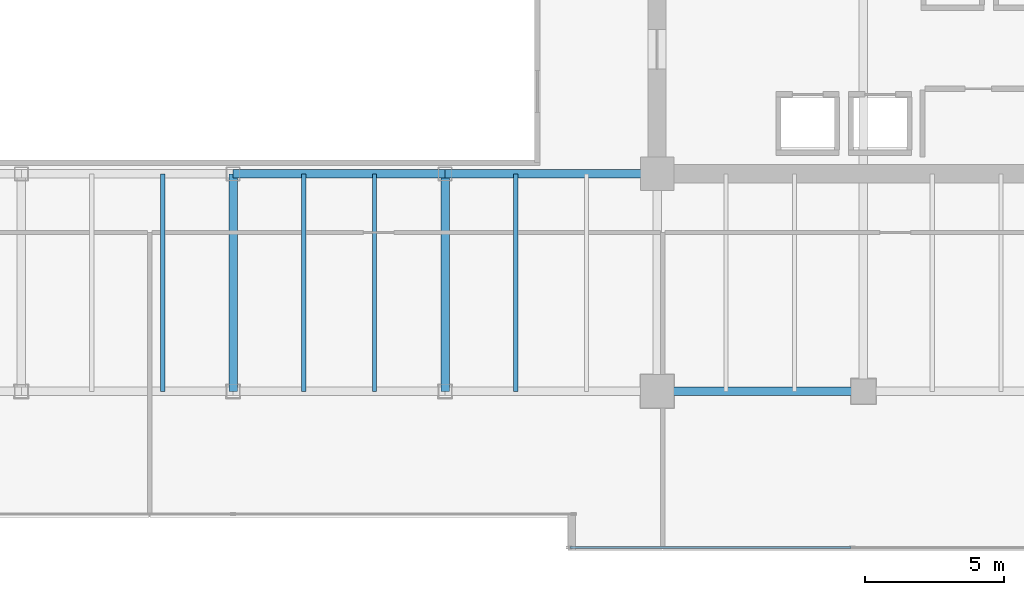
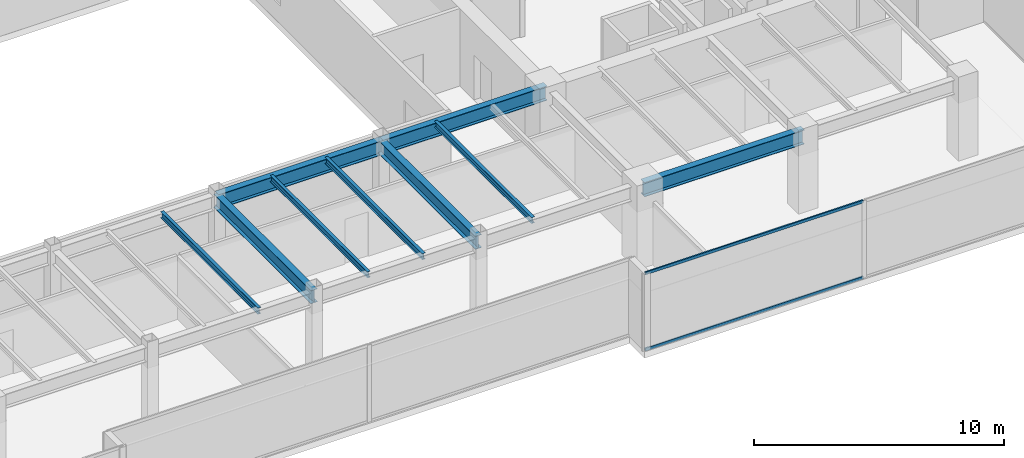
# One storey, part 11 of 33: 9 beams, 2 members, 1 element without a shape of its own.
"""IFC4 building model written with IfcOpenShell, lengths in metres."""

from ifc_helpers import new_model, si_unit, direction, frame, origin, origin_2d, place, context, subcontext, project, spatial, hollow_rectangle, i_section, extrude, source, transform, mapped, material, layer, layer_set, material_profile, profile_set, type_object, type_shapes, element, aggregate, save


model = new_model("IFC4")

# Units and contexts
model_context = context("Model", 3, precision=1e-05, world=origin(), true_north=direction((0.0, 1.0)))
body_context = subcontext(model_context, "Body", "Model", "MODEL_VIEW")
ifc_project = project(units=[si_unit("LENGTHUNIT", "METRE"), si_unit("AREAUNIT", "SQUARE_METRE"), si_unit("VOLUMEUNIT", "CUBIC_METRE"), si_unit("PLANEANGLEUNIT", "RADIAN"), si_unit("MASSUNIT", "GRAM", prefix="KILO")], contexts=[model_context])

# Site, building, storey
site_placement = place(None, origin())
site = spatial("IfcSite", under=ifc_project, at=site_placement, CompositionType="ELEMENT")
building_placement = place(site_placement, origin())
building = spatial("IfcBuilding", under=site, at=building_placement, Name="Haelvirn Gate Laboratories", CompositionType="ELEMENT")
storey_placement = place(building_placement, frame((0.0, 0.0, 117.39990234375)))
storey = spatial("IfcBuildingStorey", under=building, at=storey_placement, Name="L28", CompositionType="ELEMENT", Elevation=117.39990234375)

# Beams
ifc_material_1 = material(Name="Steel SM355", Category="steel")
ifc_material_profile_1 = material_profile(ifc_material_1, i_section(OverallWidth=0.300048828125, OverallDepth=0.64990234375, WebThickness=0.012939453125, FlangeThickness=0.02197265625, at=origin_2d()), Name="H-650x300x13x22")
ifc_profile_set_1 = profile_set([ifc_material_profile_1], Name="Steel SM355")
beam_type_1 = type_object("IfcBeamType", Name="BM-G-650", PredefinedType="BEAM", material=ifc_profile_set_1)
shared_shape_1 = source(origin(), body_context, "Body", "SweptSolid", [
    extrude(i_section(OverallWidth=0.300048828125, OverallDepth=0.64990234375, WebThickness=0.012939453125, FlangeThickness=0.02197265625, at=origin_2d()), origin(), (0.0, 0.0, 1.0), 7.800048828125),
])
type_shapes(beam_type_1, [shared_shape_1])
for number, where, z_axis, x_axis, name in (
    (1, (37.39990234375, 7.0, 3.465087890625), (0.0, 1.0, 0.0), (-1.0, 0.0, 0.0), "L28 Frame Girder X37.4 (7.0-14.8)"),
    (2, (45.0, 7.0, 3.465087890625), (0.0, 1.0, 0.0), (-1.0, 0.0, 0.0), "L28 Frame Girder X45.0 (7.0-14.8)"),
):
    element("IfcBeam", number, at=place(storey_placement, frame(where, z_axis=z_axis, x_axis=x_axis)), inside=storey, type_object=beam_type_1, Name=name, PredefinedType="BEAM", context=body_context, shape_type="MappedRepresentation", body=[
        mapped(shared_shape_1, transform((0.0, 0.0, 0.0), scale=1.0)),
    ])
ifc_material_profile_2 = material_profile(ifc_material_1, i_section(OverallWidth=0.300048828125, OverallDepth=0.699951171875, WebThickness=0.012939453125, FlangeThickness=0.02392578125, at=origin_2d()), Name="H-700x300x13x24")
ifc_profile_set_2 = profile_set([ifc_material_profile_2], Name="Steel SM355")
beam_type_2 = type_object("IfcBeamType", Name="BM-G-700", PredefinedType="BEAM", material=ifc_profile_set_2)
shared_shape_2 = source(origin(), body_context, "Body", "SweptSolid", [
    extrude(i_section(OverallWidth=0.300048828125, OverallDepth=0.699951171875, WebThickness=0.012939453125, FlangeThickness=0.02392578125, at=origin_2d()), origin(), (0.0, 0.0, 1.0), 7.39990234375),
])
beam_placement = place(storey_placement, frame((52.60009765625, 7.0, 3.440185546875), z_axis=(1.0, 0.0, 0.0), x_axis=(0.0, 1.0, 0.0)))
element("IfcBeam", 3, at=beam_placement, inside=storey, type_object=beam_type_2, Name="L28 Primary Girder Y7.0 (52.6-60.0)", PredefinedType="BEAM", context=body_context, shape_type="MappedRepresentation", body=[
    mapped(shared_shape_2, transform((0.0, 0.0, 0.0), scale=1.0)),
])
shared_shape_3 = source(origin(), body_context, "Body", "SweptSolid", [
    extrude(i_section(OverallWidth=0.300048828125, OverallDepth=0.699951171875, WebThickness=0.012939453125, FlangeThickness=0.02392578125, at=origin_2d()), origin(), (0.0, 0.0, 1.0), 7.60009765625),
])
type_shapes(beam_type_2, [shared_shape_2, shared_shape_3])
for number, where, z_axis, x_axis, name in (
    (4, (37.39990234375, 14.800048828125, 3.440185546875), (1.0, 0.0, 0.0), (0.0, 1.0, 0.0), "L28 Primary Girder Y14.8 (37.4-45.0)"),
    (5, (45.0, 14.800048828125, 3.440185546875), (1.0, 0.0, 0.0), (0.0, 1.0, 0.0), "L28 Primary Girder Y14.8 (45.0-52.6)"),
):
    element("IfcBeam", number, at=place(storey_placement, frame(where, z_axis=z_axis, x_axis=x_axis)), inside=storey, type_object=beam_type_2, Name=name, PredefinedType="BEAM", context=body_context, shape_type="MappedRepresentation", body=[
        mapped(shared_shape_3, transform((0.0, 0.0, 0.0), scale=1.0)),
    ])
ifc_material_profile_3 = material_profile(ifc_material_1, i_section(OverallWidth=0.14990234375, OverallDepth=0.300048828125, WebThickness=0.006591796875, FlangeThickness=0.009033203125, at=origin_2d()), Name="H-300x150x6.5x9")
ifc_profile_set_3 = profile_set([ifc_material_profile_3], Name="Steel SM355")
beam_type_3 = type_object("IfcBeamType", Name="BM-J-300", PredefinedType="JOIST", material=ifc_profile_set_3)
shared_shape_4 = source(origin(), body_context, "Body", "SweptSolid", [
    extrude(i_section(OverallWidth=0.14990234375, OverallDepth=0.300048828125, WebThickness=0.006591796875, FlangeThickness=0.009033203125, at=origin_2d()), origin(), (0.0, 0.0, 1.0), 7.800048828125),
])
type_shapes(beam_type_3, [shared_shape_4])
for number, where, z_axis, x_axis, name in (
    (6, (34.8701171875, 7.0, 3.64013671875), (0.0, 1.0, 0.0), (-1.0, 0.0, 0.0), "L28 Composite Lab Joist South X34.87"),
    (7, (39.929931640625, 7.0, 3.64013671875), (0.0, 1.0, 0.0), (-1.0, 0.0, 0.0), "L28 Composite Lab Joist South X39.93"),
    (8, (42.469970703125, 7.0, 3.64013671875), (0.0, 1.0, 0.0), (-1.0, 0.0, 0.0), "L28 Composite Lab Joist South X42.47"),
    (9, (47.530029296875, 7.0, 3.64013671875), (0.0, 1.0, 0.0), (-1.0, 0.0, 0.0), "L28 Composite Lab Joist South X47.53"),
):
    element("IfcBeam", number, at=place(storey_placement, frame(where, z_axis=z_axis, x_axis=x_axis)), inside=storey, type_object=beam_type_3, Name=name, PredefinedType="JOIST", context=body_context, shape_type="MappedRepresentation", body=[
        mapped(shared_shape_4, transform((0.0, 0.0, 0.0), scale=1.0)),
    ])

# Curtain wall, members
ifc_material_2 = material(Name="Anodised bronze unitised aluminium & triple low-E glass", Category="aluminium")
ifc_layer = layer(ifc_material_2, 0.179931640625, Name="CW-SYS-3")
ifc_layer_set = layer_set([ifc_layer], Name="Anodised bronze unitised aluminium & triple low-E glass")
curtain_wall_type = type_object("IfcCurtainWallType", Name="CW-SYS-3", PredefinedType="NOTDEFINED", material=ifc_layer_set)
curtain_wall_placement = place(storey_placement, origin())
curtain_wall = element("IfcCurtainWall", 10, at=curtain_wall_placement, inside=storey, type_object=curtain_wall_type, Name="L28 Unitised Curtain Wall CW-L28-P0-E04-1", PredefinedType="NOTDEFINED")
ifc_material_3 = material(Name="Extruded aluminium 6063-T6 (anodised bronze)", Category="aluminium")
ifc_material_profile_4 = material_profile(ifc_material_3, hollow_rectangle(XDim=0.06494140625, YDim=0.139892578125, WallThickness=0.00390625, at=origin_2d()), Name="CWT-140x65x4")
ifc_profile_set_4 = profile_set([ifc_material_profile_4], Name="Extruded aluminium 6063-T6 (anodised bronze)")
member_type = type_object("IfcMemberType", Name="CWT-T140", PredefinedType="USERDEFINED", material=ifc_profile_set_4)
shared_shape_5 = source(origin(), body_context, "Body", "SweptSolid", [
    extrude(hollow_rectangle(XDim=0.06494140625, YDim=0.139892578125, WallThickness=0.00390625, at=origin_2d()), origin(), (0.0, 0.0, 1.0), 10.08740234375),
])
type_shapes(member_type, [shared_shape_5])
member_1_placement = place(storey_placement, frame((49.47509765625, 1.39990234375, 0.03271484375), z_axis=(1.0, 0.0, 0.0), x_axis=(0.0, 1.0, 0.0)))
member_1 = element("IfcMember", 11, at=member_1_placement, type_object=member_type, Name="CW3 transom 1.1", ObjectType="TRANSOM", PredefinedType="USERDEFINED", context=body_context, shape_type="MappedRepresentation", body=[
    mapped(shared_shape_5, transform((0.0, 0.0, 0.0), scale=1.0)),
])
member_2_placement = place(storey_placement, frame((49.47509765625, 1.39990234375, 3.757568359375), z_axis=(1.0, 0.0, 0.0), x_axis=(0.0, 1.0, 0.0)))
member_2 = element("IfcMember", 12, at=member_2_placement, type_object=member_type, Name="CW3 transom 1.2", ObjectType="TRANSOM", PredefinedType="USERDEFINED", context=body_context, shape_type="MappedRepresentation", body=[
    mapped(shared_shape_5, transform((0.0, 0.0, 0.0), scale=1.0)),
])
aggregate(curtain_wall, [member_1, member_2])

save(model, "model.ifc")
